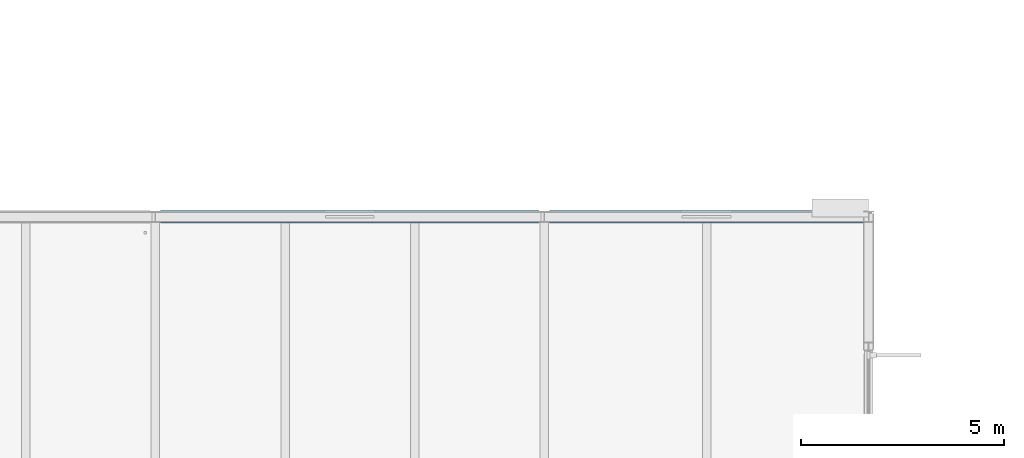
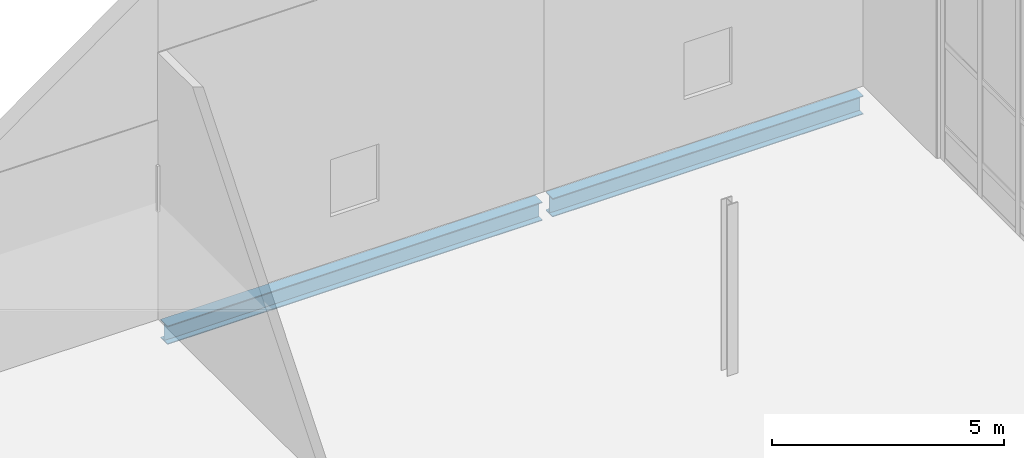
# One storey, part 25 of 59: 2 beams.
"""IFC4 building model written with IfcOpenShell, lengths in metres."""

from ifc_helpers import new_model, si_unit, direction, frame, origin, origin_2d, place, context, subcontext, project, spatial, i_section, extrude, material, material_profile, profile_set, type_object, element, save


model = new_model("IFC4")

# Units and contexts
model_context = context("Model", 3, precision=1e-05, world=origin(), true_north=direction((0.0, 1.0)))
body_context = subcontext(model_context, "Body", "Model", "MODEL_VIEW")
ifc_project = project(units=[si_unit("LENGTHUNIT", "METRE"), si_unit("AREAUNIT", "SQUARE_METRE"), si_unit("VOLUMEUNIT", "CUBIC_METRE"), si_unit("PLANEANGLEUNIT", "RADIAN"), si_unit("MASSUNIT", "GRAM", prefix="KILO")], contexts=[model_context])

# Site, building, storey
site_placement = place(None, origin())
site = spatial("IfcSite", under=ifc_project, at=site_placement, CompositionType="ELEMENT")
building_placement = place(site_placement, origin())
building = spatial("IfcBuilding", under=site, at=building_placement, Name="Dunescarp Central Library", CompositionType="ELEMENT")
storey_placement = place(building_placement, frame((0.0, 0.0, 18.60009765625)))
storey = spatial("IfcBuildingStorey", under=building, at=storey_placement, Name="L04", CompositionType="ELEMENT", Elevation=18.60009765625)

# Beams
ifc_material = material(Name="Steel S355JR", Category="steel")
ifc_material_profile = material_profile(ifc_material, i_section(OverallWidth=0.300048828125, OverallDepth=0.489990234375, WebThickness=0.011962890625, FlangeThickness=0.02294921875, at=origin_2d()), Name="HEA 500")
ifc_profile_set = profile_set([ifc_material_profile], Name="Steel S355JR")
beam_type = type_object("IfcBeamType", Name="STR-BM-HEA500", PredefinedType="BEAM", material=ifc_profile_set)
beam_1_placement = place(storey_placement, frame((107.327880859375, 28.800048828125, -0.4951171875), z_axis=(1.0, 0.0, 0.0), x_axis=(0.0, 1.0, 0.0)))
element("IfcBeam", 1, at=beam_1_placement, inside=storey, type_object=beam_type, Name="L04 girder BM-L04-0931", PredefinedType="BEAM", context=body_context, shape_type="SweptSolid", body=[
    extrude(i_section(OverallWidth=0.300048828125, OverallDepth=0.489990234375, WebThickness=0.011962890625, FlangeThickness=0.02294921875, at=origin_2d()), origin(), (0.0, 0.0, 1.0), 9.34423828125),
])
beam_2_placement = place(storey_placement, frame((116.927978515625, 28.800048828125, -0.4951171875), z_axis=(1.0, 0.0, 0.0), x_axis=(0.0, 1.0, 0.0)))
element("IfcBeam", 2, at=beam_2_placement, inside=storey, type_object=beam_type, Name="L04 girder BM-L04-0942", PredefinedType="BEAM", context=body_context, shape_type="SweptSolid", body=[
    extrude(i_section(OverallWidth=0.300048828125, OverallDepth=0.489990234375, WebThickness=0.011962890625, FlangeThickness=0.02294921875, at=origin_2d()), origin(), (0.0, 0.0, 1.0), 7.744140625),
])

save(model, "model.ifc")
